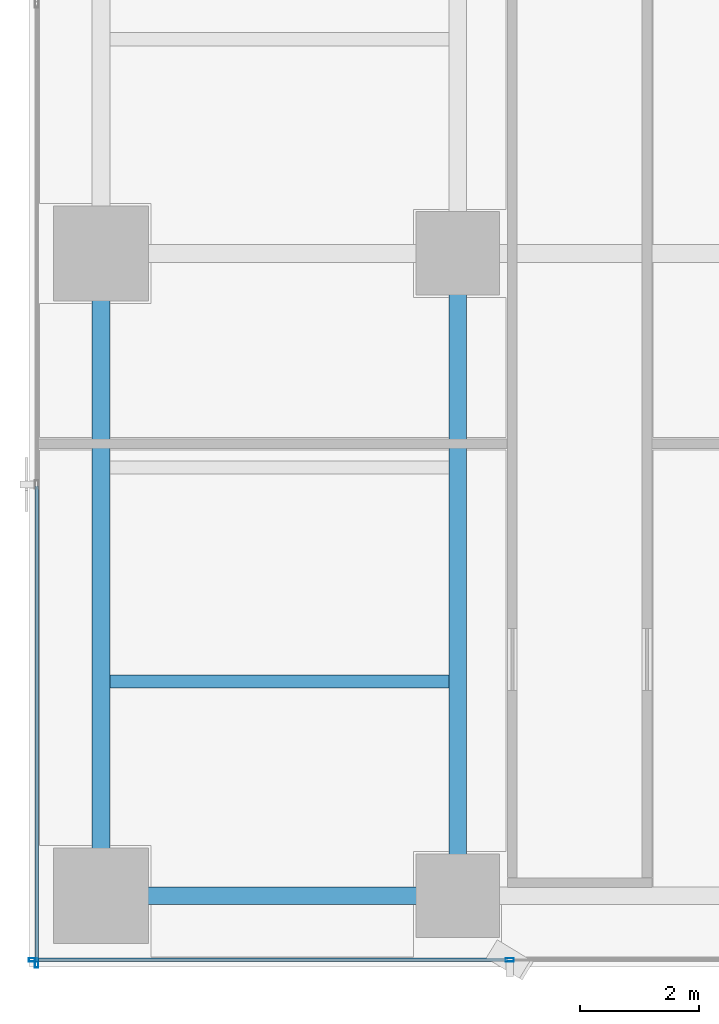
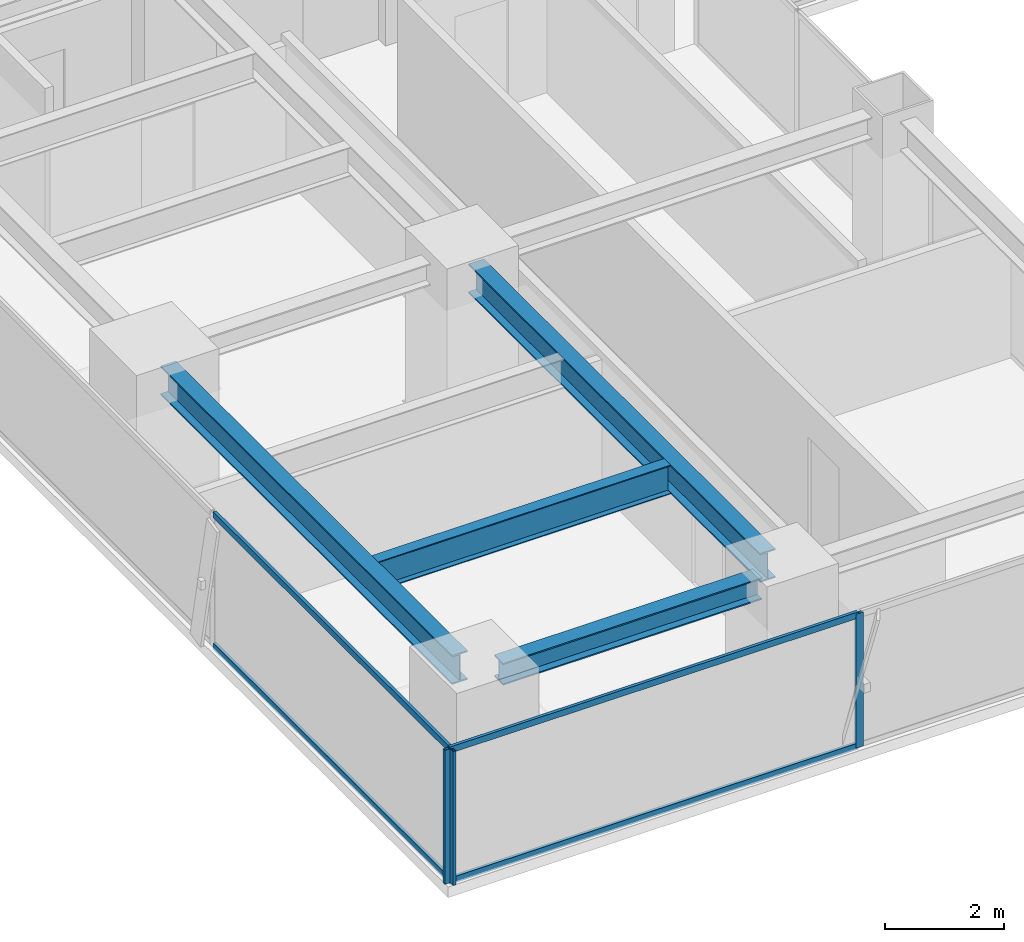
# One storey, part 2 of 31: 7 members, 4 beams, 2 elements without a shape of their own.
"""IFC4 building model written with IfcOpenShell, lengths in metres."""

from ifc_helpers import new_model, si_unit, direction, frame, origin, origin_2d, place, context, subcontext, project, spatial, hollow_rectangle, i_section, extrude, source, transform, mapped, material, layer, layer_set, material_profile, profile_set, type_object, element, aggregate, save


model = new_model("IFC4")

# Units and contexts
model_context = context("Model", 3, precision=1e-05, world=origin(), true_north=direction((0.0, 1.0)))
body_context = subcontext(model_context, "Body", "Model", "MODEL_VIEW")
ifc_project = project(units=[si_unit("LENGTHUNIT", "METRE"), si_unit("AREAUNIT", "SQUARE_METRE"), si_unit("VOLUMEUNIT", "CUBIC_METRE"), si_unit("PLANEANGLEUNIT", "RADIAN"), si_unit("MASSUNIT", "GRAM", prefix="KILO")], contexts=[model_context])

# Site, building, storey
site_placement = place(None, origin())
site = spatial("IfcSite", under=ifc_project, at=site_placement, CompositionType="ELEMENT")
building_placement = place(site_placement, origin())
building = spatial("IfcBuilding", under=site, at=building_placement, Name="Sumidabori Civic Tower", CompositionType="ELEMENT")
storey_placement = place(building_placement, frame((0.0, 0.0, 221.60009765625)))
storey = spatial("IfcBuildingStorey", under=building, at=storey_placement, Name="L57", CompositionType="ELEMENT", Elevation=221.60009765625)

# Beams
ifc_material_1 = material(Name="Steel SN490", Category="steel")
ifc_material_profile_1 = material_profile(ifc_material_1, i_section(OverallWidth=0.300048828125, OverallDepth=0.60009765625, WebThickness=0.015380859375, FlangeThickness=0.030029296875, at=origin_2d()), Name="HE 600 B")
ifc_profile_set_1 = profile_set([ifc_material_profile_1], Name="Steel SN490")
beam_type_1 = type_object("IfcBeamType", Name="BM-GIRD-600", PredefinedType="BEAM", material=ifc_profile_set_1)
shared_shape_1 = source(origin(), body_context, "Body", "SweptSolid", [
    extrude(i_section(OverallWidth=0.300048828125, OverallDepth=0.60009765625, WebThickness=0.015380859375, FlangeThickness=0.030029296875, at=origin_2d()), origin(), (0.0, 0.0, 1.0), 9.840087890625),
])
for number, where, z_axis, x_axis, name in (
    (1, (-22.800048828125, -10.320068359375, 3.079833984375), (0.0, 1.0, 0.0), (-1.0, 0.0, 0.0), "Primary Girder L57 GY-11"),
    (2, (-16.800048828125, -10.320068359375, 3.079833984375), (0.0, 1.0, 0.0), (-1.0, 0.0, 0.0), "Primary Girder L57 GY-14"),
):
    element("IfcBeam", number, at=place(storey_placement, frame(where, z_axis=z_axis, x_axis=x_axis)), inside=storey, type_object=beam_type_1, Name=name, PredefinedType="BEAM", context=body_context, shape_type="MappedRepresentation", body=[
        mapped(shared_shape_1, transform((0.0, 0.0, 0.0), x_axis=(1.0, 0.0, 0.0), y_axis=(0.0, 1.0, 0.0), z_axis=(0.0, 0.0, 1.0), scale=1.0)),
    ])
ifc_material_profile_2 = material_profile(ifc_material_1, i_section(OverallWidth=0.219970703125, OverallDepth=0.60009765625, WebThickness=0.011962890625, FlangeThickness=0.01904296875, at=origin_2d()), Name="IPE 600")
ifc_profile_set_2 = profile_set([ifc_material_profile_2], Name="Steel SN490")
beam_type_2 = type_object("IfcBeamType", Name="BM-JST-600", PredefinedType="JOIST", material=ifc_profile_set_2)
shared_shape_2 = source(origin(), body_context, "Body", "SweptSolid", [
    extrude(i_section(OverallWidth=0.219970703125, OverallDepth=0.60009765625, WebThickness=0.011962890625, FlangeThickness=0.01904296875, at=origin_2d()), origin(), (0.0, 0.0, 1.0), 5.699951171875),
])
beam_1_placement = place(storey_placement, frame((-22.64990234375, -7.199951171875, 3.079833984375), z_axis=(1.0, 0.0, 0.0), x_axis=(0.0, 1.0, 0.0)))
element("IfcBeam", 3, at=beam_1_placement, inside=storey, type_object=beam_type_2, Name="Outer Bay Floor Joist L57 JSTO-25", PredefinedType="JOIST", context=body_context, shape_type="MappedRepresentation", body=[
    mapped(shared_shape_2, transform((0.0, 0.0, 0.0), x_axis=(1.0, 0.0, 0.0), y_axis=(0.0, 1.0, 0.0), z_axis=(0.0, 0.0, 1.0), scale=1.0)),
])
ifc_material_profile_3 = material_profile(ifc_material_1, i_section(OverallWidth=0.300048828125, OverallDepth=0.449951171875, WebThickness=0.013916015625, FlangeThickness=0.02587890625, at=origin_2d()), Name="HE 450 B")
ifc_profile_set_3 = profile_set([ifc_material_profile_3], Name="Steel SN490")
beam_type_3 = type_object("IfcBeamType", Name="BM-GIRD-450", PredefinedType="BEAM", material=ifc_profile_set_3)
shared_shape_3 = source(origin(), body_context, "Body", "SweptSolid", [
    extrude(i_section(OverallWidth=0.300048828125, OverallDepth=0.449951171875, WebThickness=0.013916015625, FlangeThickness=0.02587890625, at=origin_2d()), origin(), (0.0, 0.0, 1.0), 5.0400390625),
])
beam_2_placement = place(storey_placement, frame((-22.320068359375, -10.800048828125, 3.15478515625), z_axis=(1.0, 0.0, 0.0), x_axis=(0.0, 1.0, 0.0)))
element("IfcBeam", 4, at=beam_2_placement, inside=storey, type_object=beam_type_3, Name="Primary Girder L57 GX-01", PredefinedType="BEAM", context=body_context, shape_type="MappedRepresentation", body=[
    mapped(shared_shape_3, transform((0.0, 0.0, 0.0), x_axis=(1.0, 0.0, 0.0), y_axis=(0.0, 1.0, 0.0), z_axis=(0.0, 0.0, 1.0), scale=1.0)),
])

# Curtain wall, members
ifc_material_2 = material(Name="Anodised Bronze Aluminium AW-6063-T6", Category="aluminium")
ifc_layer = layer(ifc_material_2, 0.179931640625, Name="Anodised Bronze Aluminium AW-6063-T6")
ifc_layer_set = layer_set([ifc_layer], Name="Anodised Bronze Aluminium AW-6063-T6")
curtain_wall_type = type_object("IfcCurtainWallType", Name="CW-SYS-5", PredefinedType="NOTDEFINED", material=ifc_layer_set)
curtain_wall_1_placement = place(storey_placement, origin())
curtain_wall_1 = element("IfcCurtainWall", 5, at=curtain_wall_1_placement, inside=storey, type_object=curtain_wall_type, Name="Curtain Wall CW:L57:R01", PredefinedType="NOTDEFINED")
ifc_material_profile_4 = material_profile(ifc_material_2, hollow_rectangle(XDim=0.06005859375, YDim=0.139892578125, WallThickness=0.0048828125, at=origin_2d()), Name="ALU MULLION 140x60")
ifc_profile_set_4 = profile_set([ifc_material_profile_4], Name="Anodised Bronze Aluminium AW-6063-T6")
member_type_1 = type_object("IfcMemberType", Name="CW-MUL-140", PredefinedType="MULLION", material=ifc_profile_set_4)
shared_shape_4 = source(origin(), body_context, "Body", "SweptSolid", [
    extrude(hollow_rectangle(XDim=0.06005859375, YDim=0.139892578125, WallThickness=0.0048828125, at=origin_2d()), origin(), (0.0, 0.0, 1.0), 2.760009765625),
])
member_1_placement = place(storey_placement, frame((-23.93994140625, -11.8798828125, 0.0), z_axis=(0.0, 0.0, 1.0), x_axis=(0.0, 1.0, 0.0)))
member_1 = element("IfcMember", 6, at=member_1_placement, type_object=member_type_1, Name="CW-5 mullion 1", PredefinedType="MULLION", context=body_context, shape_type="MappedRepresentation", body=[
    mapped(shared_shape_4, transform((0.0, 0.0, 0.0), x_axis=(1.0, 0.0, 0.0), y_axis=(0.0, 1.0, 0.0), z_axis=(0.0, 0.0, 1.0), scale=1.0)),
])
member_2_placement = place(storey_placement, frame((-15.925048828125, -11.8798828125, 0.0), z_axis=(0.0, 0.0, 1.0), x_axis=(0.0, 1.0, 0.0)))
member_2 = element("IfcMember", 7, at=member_2_placement, type_object=member_type_1, Name="CW-5 mullion 2", PredefinedType="MULLION", context=body_context, shape_type="MappedRepresentation", body=[
    mapped(shared_shape_4, transform((0.0, 0.0, 0.0), x_axis=(1.0, 0.0, 0.0), y_axis=(0.0, 1.0, 0.0), z_axis=(0.0, 0.0, 1.0), scale=1.0)),
])

# Curtain wall, member
curtain_wall_2_placement = place(storey_placement, origin())
curtain_wall_2 = element("IfcCurtainWall", 8, at=curtain_wall_2_placement, inside=storey, type_object=curtain_wall_type, Name="Curtain Wall CW:L57:R22", PredefinedType="NOTDEFINED")
member_3_placement = place(storey_placement, frame((-23.8798828125, -11.93994140625, 0.0), z_axis=(0.0, 0.0, 1.0), x_axis=(1.0, 0.0, 0.0)))
member_3 = element("IfcMember", 9, at=member_3_placement, type_object=member_type_1, Name="CW-5 mullion 5", PredefinedType="MULLION", context=body_context, shape_type="MappedRepresentation", body=[
    mapped(shared_shape_4, transform((0.0, 0.0, 0.0), x_axis=(1.0, 0.0, 0.0), y_axis=(0.0, 1.0, 0.0), z_axis=(0.0, 0.0, 1.0), scale=1.0)),
])

# Member
ifc_material_profile_5 = material_profile(ifc_material_2, hollow_rectangle(XDim=0.06005859375, YDim=0.1298828125, WallThickness=0.0048828125, at=origin_2d()), Name="ALU TRANSOM 130x60")
ifc_profile_set_5 = profile_set([ifc_material_profile_5], Name="Anodised Bronze Aluminium AW-6063-T6")
member_type_2 = type_object("IfcMemberType", Name="CW-TRN-130", PredefinedType="USERDEFINED", material=ifc_profile_set_5)
shared_shape_5 = source(origin(), body_context, "Body", "SweptSolid", [
    extrude(hollow_rectangle(XDim=0.06005859375, YDim=0.1298828125, WallThickness=0.0048828125, at=origin_2d()), origin(), (0.0, 0.0, 1.0), 7.954833984375),
])
member_4_placement = place(storey_placement, frame((-23.909912109375, -11.8798828125, 0.02978515625), z_axis=(1.0, 0.0, 0.0), x_axis=(0.0, 1.0, 0.0)))
member_4 = element("IfcMember", 10, at=member_4_placement, type_object=member_type_2, Name="CW-5 transom 1.1", ObjectType="TRANSOM", PredefinedType="USERDEFINED", context=body_context, shape_type="MappedRepresentation", body=[
    mapped(shared_shape_5, transform((0.0, 0.0, 0.0), x_axis=(1.0, 0.0, 0.0), y_axis=(0.0, 1.0, 0.0), z_axis=(0.0, 0.0, 1.0), scale=1.0)),
])

member_5_placement = place(storey_placement, frame((-23.909912109375, -11.8798828125, 2.72998046875), z_axis=(1.0, 0.0, 0.0), x_axis=(0.0, 1.0, 0.0)))
member_5 = element("IfcMember", 11, at=member_5_placement, type_object=member_type_2, Name="CW-5 transom 1.2", ObjectType="TRANSOM", PredefinedType="USERDEFINED", context=body_context, shape_type="MappedRepresentation", body=[
    mapped(shared_shape_5, transform((0.0, 0.0, 0.0), x_axis=(1.0, 0.0, 0.0), y_axis=(0.0, 1.0, 0.0), z_axis=(0.0, 0.0, 1.0), scale=1.0)),
])

aggregate(curtain_wall_1, [member_1, member_2, member_4, member_5])

shared_shape_6 = source(origin(), body_context, "Body", "SweptSolid", [
    extrude(hollow_rectangle(XDim=0.06005859375, YDim=0.1298828125, WallThickness=0.0048828125, at=origin_2d()), origin(), (0.0, 0.0, 1.0), 7.994873046875),
])
member_6_placement = place(storey_placement, frame((-23.8798828125, -3.9150390625, 0.02978515625), z_axis=(0.0, -1.0, 0.0), x_axis=(1.0, 0.0, 0.0)))
member_6 = element("IfcMember", 12, at=member_6_placement, type_object=member_type_2, Name="CW-5 transom 4.1", ObjectType="TRANSOM", PredefinedType="USERDEFINED", context=body_context, shape_type="MappedRepresentation", body=[
    mapped(shared_shape_6, transform((0.0, 0.0, 0.0), x_axis=(1.0, 0.0, 0.0), y_axis=(0.0, 1.0, 0.0), z_axis=(0.0, 0.0, 1.0), scale=1.0)),
])

member_7_placement = place(storey_placement, frame((-23.8798828125, -3.9150390625, 2.72998046875), z_axis=(0.0, -1.0, 0.0), x_axis=(1.0, 0.0, 0.0)))
member_7 = element("IfcMember", 13, at=member_7_placement, type_object=member_type_2, Name="CW-5 transom 4.2", ObjectType="TRANSOM", PredefinedType="USERDEFINED", context=body_context, shape_type="MappedRepresentation", body=[
    mapped(shared_shape_6, transform((0.0, 0.0, 0.0), x_axis=(1.0, 0.0, 0.0), y_axis=(0.0, 1.0, 0.0), z_axis=(0.0, 0.0, 1.0), scale=1.0)),
])

aggregate(curtain_wall_2, [member_3, member_6, member_7])

save(model, "model.ifc")
